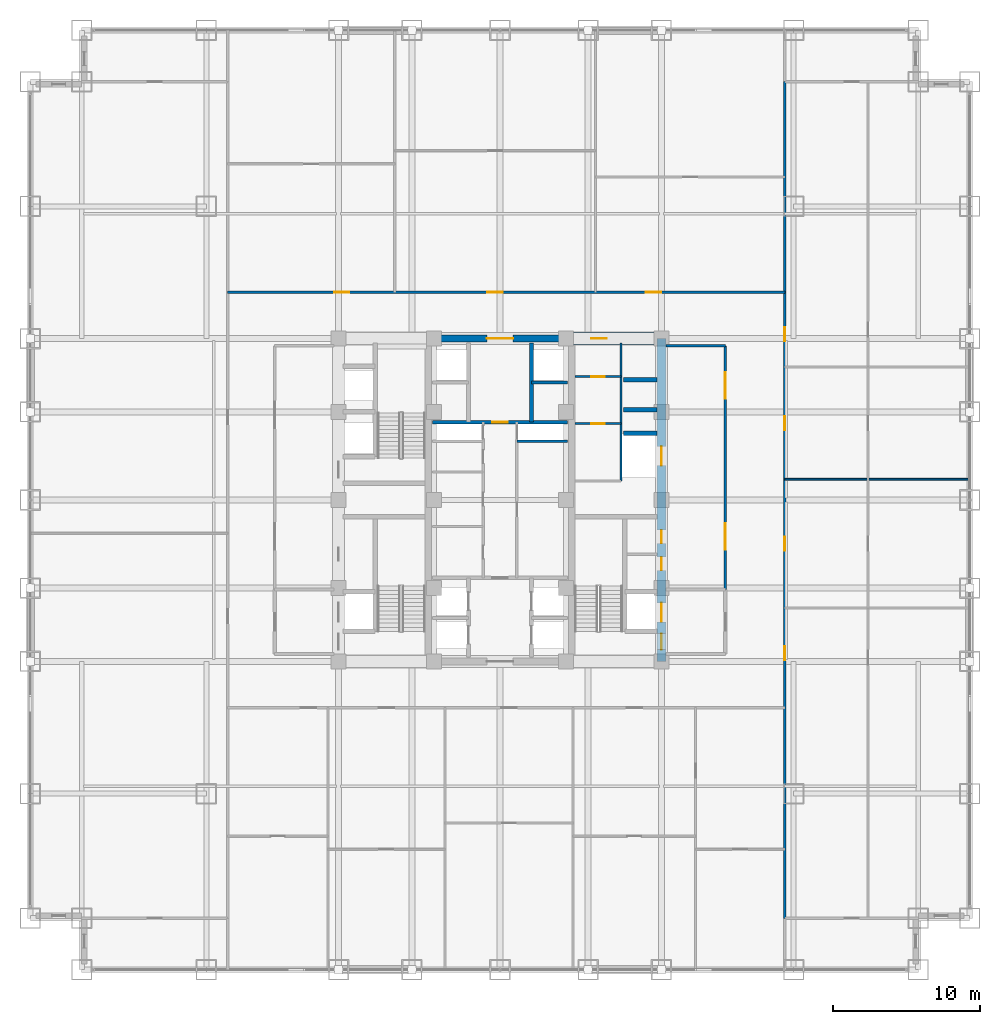
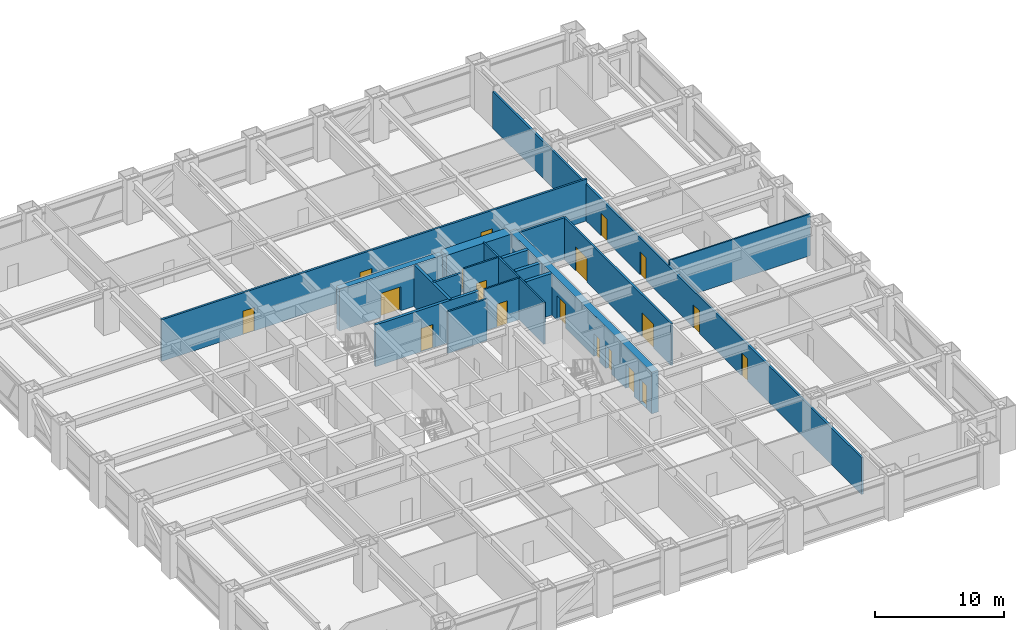
# One storey, part 26 of 28: 19 doors, 18 walls, 19 openings.
"""IFC4 building model written with IfcOpenShell, lengths in metres."""

from ifc_helpers import new_model, si_unit, direction, frame, frame_2d, origin, place, context, subcontext, project, spatial, rectangle, extrude, source, transform, mapped, material, layer, layer_set, type_object, element, fill, save


model = new_model("IFC4")

# Units and contexts
model_context = context("Model", 3, precision=1e-05, world=origin(), true_north=direction((0.0, 1.0)))
body_context = subcontext(model_context, "Body", "Model", "MODEL_VIEW")
ifc_project = project(units=[si_unit("LENGTHUNIT", "METRE"), si_unit("AREAUNIT", "SQUARE_METRE"), si_unit("VOLUMEUNIT", "CUBIC_METRE"), si_unit("PLANEANGLEUNIT", "RADIAN"), si_unit("MASSUNIT", "GRAM", prefix="KILO")], contexts=[model_context])

# Site, building, storey
site_placement = place(None, origin())
site = spatial("IfcSite", under=ifc_project, at=site_placement, CompositionType="ELEMENT")
building_placement = place(site_placement, origin())
building = spatial("IfcBuilding", under=site, at=building_placement, Name="Khorayat Bourse Tower", CompositionType="ELEMENT")
storey_placement = place(building_placement, frame((0.0, 0.0, 83.0)))
storey = spatial("IfcBuildingStorey", under=building, at=storey_placement, Name="L18", CompositionType="ELEMENT", Elevation=83.0)

# Wall, openings, doors
ifc_material_1 = material(Name="Concrete C60/75", Category="concrete")
ifc_layer_1 = layer(ifc_material_1, 0.60009765625)
ifc_layer_set_1 = layer_set([ifc_layer_1], Name="Concrete C60/75")
wall_type_1 = type_object("IfcWallType", Name="WAL-CORE-600", PredefinedType="SHEAR", material=ifc_layer_set_1)
shared_shape_1 = source(origin(), body_context, "Body", "SweptSolid", [
    extrude(rectangle(XDim=22.0, YDim=0.60009765625, at=frame_2d((11.0, 0.0))), origin(), (0.0, 0.0, 1.0), 3.93994140625),
])
wall_1_placement = place(storey_placement, frame((11.0, -11.0, 0.0), z_axis=(0.0, 0.0, 1.0), x_axis=(0.0, 1.0, 0.0)))
wall_1 = element("IfcWall", 1, at=wall_1_placement, inside=storey, type_object=wall_type_1, Name="L18 Core Shear Wall CORE-E", PredefinedType="SHEAR", context=body_context, shape_type="MappedRepresentation", body=[
    mapped(shared_shape_1, transform((0.0, 0.0, 0.0), scale=1.0)),
])
shared_shape_2 = source(origin(), body_context, "Body", "SweptSolid", [
    extrude(rectangle(XDim=1.10009765625, YDim=2.199951171875, at=frame_2d((0.550048828125, 1.10009765625))), frame((0.0, 0.31005859375, 0.0), z_axis=(0.0, -1.0, 0.0), x_axis=(1.0, 0.0, 0.0)), (0.0, 0.0, 1.0), 0.6201171875),
])
opening_1_placement = place(wall_1_placement, frame((0.800048828125, 0.0, 0.0)))
opening_1 = element("IfcOpeningElement", 2, at=opening_1_placement, cuts=wall_1, Name="Opening DI-01", PredefinedType="OPENING", context=body_context, shape_type="MappedRepresentation", body=[
    mapped(shared_shape_2, transform((0.0, 0.0, 0.0), scale=1.0)),
])
shared_shape_3 = source(origin(), body_context, "Body", "SweptSolid", [
    extrude(rectangle(XDim=0.89990234375, YDim=2.14990234375, at=frame_2d((0.449951171875, 1.074951171875))), frame((0.0, 0.31005859375, 0.0), z_axis=(0.0, -1.0, 0.0), x_axis=(1.0, 0.0, 0.0)), (0.0, 0.0, 1.0), 0.6201171875),
])
opening_2_placement = place(wall_1_placement, frame((6.199951171875, 0.0, 0.0)))
opening_2 = element("IfcOpeningElement", 3, at=opening_2_placement, cuts=wall_1, Name="Opening DI-06", PredefinedType="OPENING", context=body_context, shape_type="MappedRepresentation", body=[
    mapped(shared_shape_3, transform((0.0, 0.0, 0.0), scale=1.0)),
])
opening_3_placement = place(wall_1_placement, frame((8.050048828125, 0.0, 0.0)))
opening_3 = element("IfcOpeningElement", 4, at=opening_3_placement, cuts=wall_1, Name="Opening DI-06", PredefinedType="OPENING", context=body_context, shape_type="MappedRepresentation", body=[
    mapped(shared_shape_3, transform((0.0, 0.0, 0.0), scale=1.0)),
])
shared_shape_4 = source(origin(), body_context, "Body", "SweptSolid", [
    extrude(rectangle(XDim=1.300048828125, YDim=2.300048828125, at=frame_2d((0.64990234375, 1.14990234375))), frame((0.0, 0.31005859375, 0.0), z_axis=(0.0, -1.0, 0.0), x_axis=(1.0, 0.0, 0.0)), (0.0, 0.0, 1.0), 0.6201171875),
])
opening_4_placement = place(wall_1_placement, frame((2.699951171875, 0.0, 0.0)))
opening_4 = element("IfcOpeningElement", 5, at=opening_4_placement, cuts=wall_1, Name="Opening LD-02", PredefinedType="OPENING", context=body_context, shape_type="MappedRepresentation", body=[
    mapped(shared_shape_4, transform((0.0, 0.0, 0.0), scale=1.0)),
])
opening_5_placement = place(wall_1_placement, frame((13.35009765625, 0.0, 0.0)))
opening_5 = element("IfcOpeningElement", 6, at=opening_5_placement, cuts=wall_1, Name="Opening LD-02", PredefinedType="OPENING", context=body_context, shape_type="MappedRepresentation", body=[
    mapped(shared_shape_4, transform((0.0, 0.0, 0.0), scale=1.0)),
])
ifc_material_2 = material(Name="Fire-rated steel acoustic leaf", Category="steel")
door_type_1 = type_object("IfcDoorType", Name="DR-INT-STAIR-1100", OperationType="NOTDEFINED", PredefinedType="DOOR", material=ifc_material_2)
shared_shape_5 = source(origin(), body_context, "Body", "SweptSolid", [
    extrude(rectangle(XDim=1.10009765625, YDim=2.199951171875, at=frame_2d((0.550048828125, 1.10009765625))), frame((0.0, 0.02490234375, 0.0), z_axis=(0.0, -1.0, 0.0), x_axis=(1.0, 0.0, 0.0)), (0.0, 0.0, 1.0), 0.050048828125),
])
door_1_placement = place(opening_1_placement, origin())
door_1 = element("IfcDoor", 7, at=door_1_placement, inside=storey, type_object=door_type_1, Name="L18 Exit Stair 3 Door", OperationType="SINGLE_SWING_LEFT", OverallHeight=2.199951171875, OverallWidth=1.10009765625, PredefinedType="DOOR", context=body_context, shape_type="MappedRepresentation", body=[
    mapped(shared_shape_5, transform((0.0, 0.0, 0.0), scale=1.0)),
])
fill(opening_1, door_1)
ifc_material_3 = material(Name="Moisture-resistant laminate washroom door")
door_type_2 = type_object("IfcDoorType", Name="DR-INT-WC-900", OperationType="NOTDEFINED", PredefinedType="DOOR", material=ifc_material_3)
shared_shape_6 = source(origin(), body_context, "Body", "SweptSolid", [
    extrude(rectangle(XDim=0.89990234375, YDim=2.14990234375, at=frame_2d((0.449951171875, 1.074951171875))), frame((0.0, 0.02490234375, 0.0), z_axis=(0.0, -1.0, 0.0), x_axis=(1.0, 0.0, 0.0)), (0.0, 0.0, 1.0), 0.050048828125),
])
door_2_placement = place(opening_2_placement, origin())
door_2 = element("IfcDoor", 8, at=door_2_placement, inside=storey, type_object=door_type_2, Name="L18 Comms Closet Door", OperationType="SINGLE_SWING_LEFT", OverallHeight=2.14990234375, OverallWidth=0.89990234375, PredefinedType="DOOR", context=body_context, shape_type="MappedRepresentation", body=[
    mapped(shared_shape_6, transform((0.0, 0.0, 0.0), scale=1.0)),
])
fill(opening_2, door_2)
door_3_placement = place(opening_3_placement, origin())
door_3 = element("IfcDoor", 9, at=door_3_placement, inside=storey, type_object=door_type_2, Name="L18 Cleaner Store Door", OperationType="SINGLE_SWING_RIGHT", OverallHeight=2.14990234375, OverallWidth=0.89990234375, PredefinedType="DOOR", context=body_context, shape_type="MappedRepresentation", body=[
    mapped(shared_shape_6, transform((0.0, 0.0, 0.0), scale=1.0)),
])
fill(opening_3, door_3)
ifc_material_4 = material(Name="Fire-rated stainless-steel sliding landing door", Category="steel")
door_type_3 = type_object("IfcDoorType", Name="DR-LIFT-FF-1300", OperationType="NOTDEFINED", PredefinedType="DOOR", material=ifc_material_4)
shared_shape_7 = source(origin(), body_context, "Body", "SweptSolid", [
    extrude(rectangle(XDim=1.300048828125, YDim=2.300048828125, at=frame_2d((0.64990234375, 1.14990234375))), frame((0.0, 0.02490234375, 0.0), z_axis=(0.0, -1.0, 0.0), x_axis=(1.0, 0.0, 0.0)), (0.0, 0.0, 1.0), 0.050048828125),
])
door_4_placement = place(opening_4_placement, origin())
door_4 = element("IfcDoor", 10, at=door_4_placement, inside=storey, type_object=door_type_3, Name="L18 Lift FFL-02 Sliding Landing Door", OperationType="SLIDING_TO_LEFT", OverallHeight=2.300048828125, OverallWidth=1.300048828125, PredefinedType="DOOR", context=body_context, shape_type="MappedRepresentation", body=[
    mapped(shared_shape_7, transform((0.0, 0.0, 0.0), scale=1.0)),
])
fill(opening_4, door_4)
door_5_placement = place(opening_5_placement, origin())
door_5 = element("IfcDoor", 11, at=door_5_placement, inside=storey, type_object=door_type_3, Name="L18 Lift SVL-01 Sliding Landing Door", OperationType="SLIDING_TO_LEFT", OverallHeight=2.300048828125, OverallWidth=1.300048828125, PredefinedType="DOOR", context=body_context, shape_type="MappedRepresentation", body=[
    mapped(shared_shape_7, transform((0.0, 0.0, 0.0), scale=1.0)),
])
fill(opening_5, door_5)

# Wall, opening, door
ifc_material_5 = material(Name="Concrete C72/90", Category="concrete")
ifc_layer_2 = layer(ifc_material_5, 0.89990234375)
ifc_layer_set_2 = layer_set([ifc_layer_2], Name="Concrete C72/90")
wall_type_2 = type_object("IfcWallType", Name="WAL-CORE-900", PredefinedType="SHEAR", material=ifc_layer_set_2)
shared_shape_8 = source(origin(), body_context, "Body", "SweptSolid", [
    extrude(rectangle(XDim=5.849853515625, YDim=0.89990234375, at=frame_2d((2.9248046875, 0.0))), origin(), (0.0, 0.0, 1.0), 3.93994140625),
])
wall_2_placement = place(storey_placement, frame((4.85009765625, 11.0, 0.0), z_axis=(0.0, 0.0, 1.0), x_axis=(1.0, 0.0, 0.0)))
wall_2 = element("IfcWall", 12, at=wall_2_placement, inside=storey, type_object=wall_type_2, Name="L18 Core Shear Wall PIER-EN", PredefinedType="SHEAR", context=body_context, shape_type="MappedRepresentation", body=[
    mapped(shared_shape_8, transform((0.0, 0.0, 0.0), scale=1.0)),
])
shared_shape_9 = source(origin(), body_context, "Body", "SweptSolid", [
    extrude(rectangle(XDim=1.050048828125, YDim=2.199951171875, at=frame_2d((0.52490234375, 1.10009765625))), frame((0.0, 0.4599609375, 0.0), z_axis=(0.0, -1.0, 0.0), x_axis=(1.0, 0.0, 0.0)), (0.0, 0.0, 1.0), 0.919921875),
])
opening_6_placement = place(wall_2_placement, frame((1.375, 0.0, 0.0)))
opening_6 = element("IfcOpeningElement", 13, at=opening_6_placement, cuts=wall_2, Name="Opening DI-04", PredefinedType="OPENING", context=body_context, shape_type="MappedRepresentation", body=[
    mapped(shared_shape_9, transform((0.0, 0.0, 0.0), scale=1.0)),
])
ifc_material_6 = material(Name="Fire-rated oak veneer suite entrance door")
door_type_4 = type_object("IfcDoorType", Name="DR-INT-SUITE-1050", OperationType="NOTDEFINED", PredefinedType="DOOR", material=ifc_material_6)
shared_shape_10 = source(origin(), body_context, "Body", "SweptSolid", [
    extrude(rectangle(XDim=1.050048828125, YDim=2.199951171875, at=frame_2d((0.52490234375, 1.10009765625))), frame((0.0, 0.02490234375, 0.0), z_axis=(0.0, -1.0, 0.0), x_axis=(1.0, 0.0, 0.0)), (0.0, 0.0, 1.0), 0.050048828125),
])
door_6_placement = place(opening_6_placement, origin())
door_6 = element("IfcDoor", 14, at=door_6_placement, inside=storey, type_object=door_type_4, Name="L18 Core Washroom Lobby Door", OperationType="SINGLE_SWING_LEFT", OverallHeight=2.199951171875, OverallWidth=1.050048828125, PredefinedType="DOOR", context=body_context, shape_type="MappedRepresentation", body=[
    mapped(shared_shape_10, transform((0.0, 0.0, 0.0), scale=1.0)),
])
fill(opening_6, door_6)

ifc_material_7 = material(Name="Concrete C52/65", Category="concrete")
ifc_layer_3 = layer(ifc_material_7, 0.5)
ifc_layer_set_3 = layer_set([ifc_layer_3], Name="Concrete C52/65")
wall_type_3 = type_object("IfcWallType", Name="WAL-CORE-500", PredefinedType="SHEAR", material=ifc_layer_set_3)
shared_shape_11 = source(origin(), body_context, "Body", "SweptSolid", [
    extrude(rectangle(XDim=9.2001953125, YDim=0.5, at=frame_2d((4.60009765625, 0.0))), origin(), (0.0, 0.0, 1.0), 3.93994140625),
])
wall_3_placement = place(storey_placement, frame((-4.60009765625, 11.0, 0.0), z_axis=(0.0, 0.0, 1.0), x_axis=(1.0, 0.0, 0.0)))
wall_3 = element("IfcWall", 15, at=wall_3_placement, inside=storey, type_object=wall_type_3, Name="L18 Core Shear Wall CORE-N", PredefinedType="SHEAR", context=body_context, shape_type="MappedRepresentation", body=[
    mapped(shared_shape_11, transform((0.0, 0.0, 0.0), scale=1.0)),
])
shared_shape_12 = source(origin(), body_context, "Body", "SweptSolid", [
    extrude(rectangle(XDim=1.800048828125, YDim=2.25, at=frame_2d((0.89990234375, 1.125))), frame((0.0, 0.260009765625, 0.0), z_axis=(0.0, -1.0, 0.0), x_axis=(1.0, 0.0, 0.0)), (0.0, 0.0, 1.0), 0.52001953125),
])
opening_7_placement = place(wall_3_placement, frame((3.699951171875, 0.0, 0.0)))
opening_7 = element("IfcOpeningElement", 16, at=opening_7_placement, cuts=wall_3, Name="Opening DI-03", PredefinedType="OPENING", context=body_context, shape_type="MappedRepresentation", body=[
    mapped(shared_shape_12, transform((0.0, 0.0, 0.0), scale=1.0)),
])
ifc_material_8 = material(Name="Fire-rated hardwood vision-panel double leaf", Category="wood")
door_type_5 = type_object("IfcDoorType", Name="DR-INT-CORR-1800", OperationType="NOTDEFINED", PredefinedType="DOOR", material=ifc_material_8)
shared_shape_13 = source(origin(), body_context, "Body", "SweptSolid", [
    extrude(rectangle(XDim=1.800048828125, YDim=2.25, at=frame_2d((0.89990234375, 1.125))), frame((0.0, 0.02490234375, 0.0), z_axis=(0.0, -1.0, 0.0), x_axis=(1.0, 0.0, 0.0)), (0.0, 0.0, 1.0), 0.050048828125),
])
door_7_placement = place(opening_7_placement, origin())
door_7 = element("IfcDoor", 17, at=door_7_placement, inside=storey, type_object=door_type_5, Name="L18 Mid-Rise Lift Lobby Door", OperationType="SINGLE_SWING_RIGHT", OverallHeight=2.25, OverallWidth=1.800048828125, PredefinedType="DOOR", context=body_context, shape_type="MappedRepresentation", body=[
    mapped(shared_shape_13, transform((0.0, 0.0, 0.0), scale=1.0)),
])
fill(opening_7, door_7)

# Walls
ifc_material_9 = material(Name="Concrete C50/60", Category="concrete")
ifc_layer_4 = layer(ifc_material_9, 0.300048828125)
ifc_layer_set_4 = layer_set([ifc_layer_4], Name="Concrete C50/60")
wall_type_4 = type_object("IfcWallType", Name="WAL-SHAFT-300", PredefinedType="SHEAR", material=ifc_layer_set_4)
shared_shape_14 = source(origin(), body_context, "Body", "SweptSolid", [
    extrude(rectangle(XDim=2.300048828125, YDim=0.300048828125, at=frame_2d((1.14990234375, 0.0))), origin(), (0.0, 0.0, 1.0), 3.93994140625),
])
for number, where, z_axis, x_axis, name in (
    (18, (8.39990234375, 4.550048828125, 0.0), (0.0, 0.0, 1.0), (1.0, 0.0, 0.0), "L18 Partition WAL-L18-EPIER-SVLN"),
    (19, (8.39990234375, 6.14990234375, 0.0), (0.0, 0.0, 1.0), (1.0, 0.0, 0.0), "L18 Partition WAL-L18-EPIER-H3S"),
    (20, (8.39990234375, 8.199951171875, 0.0), (0.0, 0.0, 1.0), (1.0, 0.0, 0.0), "L18 Partition WAL-L18-EPIER-H34"),
):
    element("IfcWall", number, at=place(storey_placement, frame(where, z_axis=z_axis, x_axis=x_axis)), inside=storey, type_object=wall_type_4, Name=name, PredefinedType="SHEAR", context=body_context, shape_type="MappedRepresentation", body=[
        mapped(shared_shape_14, transform((0.0, 0.0, 0.0), scale=1.0)),
    ])
ifc_material_10 = material(Name="Moisture-resistant masonry partition", Category="masonry")
ifc_layer_5 = layer(ifc_material_10, 0.139892578125)
ifc_layer_set_5 = layer_set([ifc_layer_5], Name="Moisture-resistant masonry partition")
wall_type_5 = type_object("IfcWallType", Name="WAL-PART-WET-140", PredefinedType="PARTITIONING", material=ifc_layer_set_5)
shared_shape_15 = source(origin(), body_context, "Body", "SweptSolid", [
    extrude(rectangle(XDim=9.39990234375, YDim=0.139892578125, at=frame_2d((4.699951171875, 0.0))), origin(), (0.0, 0.0, 1.0), 3.93994140625),
])
wall_4_placement = place(storey_placement, frame((8.25, 1.300048828125, 0.0), z_axis=(0.0, 0.0, 1.0), x_axis=(0.0, 1.0, 0.0)))
element("IfcWall", 21, at=wall_4_placement, inside=storey, type_object=wall_type_5, Name="L18 Partition WAL-L18-ECORE-E", PredefinedType="PARTITIONING", context=body_context, shape_type="MappedRepresentation", body=[
    mapped(shared_shape_15, transform((0.0, 0.0, 0.0), scale=1.0)),
])

# Wall, opening, door
shared_shape_16 = source(origin(), body_context, "Body", "SweptSolid", [
    extrude(rectangle(XDim=3.14990234375, YDim=0.139892578125, at=frame_2d((1.574951171875, 0.0))), origin(), (0.0, 0.0, 1.0), 3.93994140625),
])
wall_5_placement = place(storey_placement, frame((5.10009765625, 8.39990234375, 0.0), z_axis=(0.0, 0.0, 1.0), x_axis=(1.0, 0.0, 0.0)))
wall_5 = element("IfcWall", 22, at=wall_5_placement, inside=storey, type_object=wall_type_5, Name="L18 Partition WAL-L18-ECW-TOP", PredefinedType="PARTITIONING", context=body_context, shape_type="MappedRepresentation", body=[
    mapped(shared_shape_16, transform((0.0, 0.0, 0.0), scale=1.0)),
])
shared_shape_17 = source(origin(), body_context, "Body", "SweptSolid", [
    extrude(rectangle(XDim=0.89990234375, YDim=2.14990234375, at=frame_2d((0.449951171875, 1.074951171875))), frame((0.0, 0.079833984375, 0.0), z_axis=(0.0, -1.0, 0.0), x_axis=(1.0, 0.0, 0.0)), (0.0, 0.0, 1.0), 0.159912109375),
])
opening_8_placement = place(wall_5_placement, frame((1.1298828125, 0.0, 0.0)))
opening_8 = element("IfcOpeningElement", 23, at=opening_8_placement, cuts=wall_5, Name="Opening DI-06", PredefinedType="OPENING", context=body_context, shape_type="MappedRepresentation", body=[
    mapped(shared_shape_17, transform((0.0, 0.0, 0.0), scale=1.0)),
])
door_8_placement = place(opening_8_placement, origin())
door_8 = element("IfcDoor", 24, at=door_8_placement, inside=storey, type_object=door_type_2, Name="L18 Accessible WC Door", OperationType="SINGLE_SWING_LEFT", OverallHeight=2.14990234375, OverallWidth=0.89990234375, PredefinedType="DOOR", context=body_context, shape_type="MappedRepresentation", body=[
    mapped(shared_shape_6, transform((0.0, 0.0, 0.0), scale=1.0)),
])
fill(opening_8, door_8)

wall_6_placement = place(storey_placement, frame((5.10009765625, 5.199951171875, 0.0), z_axis=(0.0, 0.0, 1.0), x_axis=(1.0, 0.0, 0.0)))
wall_6 = element("IfcWall", 25, at=wall_6_placement, inside=storey, type_object=wall_type_5, Name="L18 Partition WAL-L18-ECW-HZ", PredefinedType="PARTITIONING", context=body_context, shape_type="MappedRepresentation", body=[
    mapped(shared_shape_16, transform((0.0, 0.0, 0.0), scale=1.0)),
])
opening_9_placement = place(wall_6_placement, frame((1.1298828125, 0.0, 0.0)))
opening_9 = element("IfcOpeningElement", 26, at=opening_9_placement, cuts=wall_6, Name="Opening DI-06", PredefinedType="OPENING", context=body_context, shape_type="MappedRepresentation", body=[
    mapped(shared_shape_17, transform((0.0, 0.0, 0.0), scale=1.0)),
])
door_9_placement = place(opening_9_placement, origin())
door_9 = element("IfcDoor", 27, at=door_9_placement, inside=storey, type_object=door_type_2, Name="L18 Shared Washroom Door", OperationType="SINGLE_SWING_RIGHT", OverallHeight=2.14990234375, OverallWidth=0.89990234375, PredefinedType="DOOR", context=body_context, shape_type="MappedRepresentation", body=[
    mapped(shared_shape_6, transform((0.0, 0.0, 0.0), scale=1.0)),
])
fill(opening_9, door_9)

# Wall
ifc_material_11 = material(Name="Gypsum plasterboard acoustic stud wall")
ifc_layer_6 = layer(ifc_material_11, 0.179931640625)
ifc_layer_set_6 = layer_set([ifc_layer_6], Name="Gypsum plasterboard acoustic stud wall")
wall_type_6 = type_object("IfcWallType", Name="WAL-PART-CORR-180", PredefinedType="PARTITIONING", material=ifc_layer_set_6)
shared_shape_18 = source(origin(), body_context, "Body", "SweptSolid", [
    extrude(rectangle(XDim=4.050048828125, YDim=0.179931640625, at=frame_2d((2.02490234375, 0.0))), origin(), (0.0, 0.0, 1.0), 3.93994140625),
])
wall_7_placement = place(storey_placement, frame((11.300048828125, 10.5, 0.0), z_axis=(0.0, 0.0, 1.0), x_axis=(1.0, 0.0, 0.0)))
element("IfcWall", 28, at=wall_7_placement, inside=storey, type_object=wall_type_6, Name="L18 Partition WAL-L18-ELOB-N", PredefinedType="PARTITIONING", context=body_context, shape_type="MappedRepresentation", body=[
    mapped(shared_shape_18, transform((0.0, 0.0, 0.0), scale=1.0)),
])

# Wall, openings, doors
shared_shape_19 = source(origin(), body_context, "Body", "SweptSolid", [
    extrude(rectangle(XDim=16.60009765625, YDim=0.179931640625, at=frame_2d((8.300048828125, 0.0))), origin(), (0.0, 0.0, 1.0), 3.93994140625),
])
wall_8_placement = place(storey_placement, frame((15.35009765625, -6.10009765625, 0.0), z_axis=(0.0, 0.0, 1.0), x_axis=(0.0, 1.0, 0.0)))
wall_8 = element("IfcWall", 29, at=wall_8_placement, inside=storey, type_object=wall_type_6, Name="L18 Partition WAL-L18-ELOB-E", PredefinedType="PARTITIONING", context=body_context, shape_type="MappedRepresentation", body=[
    mapped(shared_shape_19, transform((0.0, 0.0, 0.0), scale=1.0)),
])
shared_shape_20 = source(origin(), body_context, "Body", "SweptSolid", [
    extrude(rectangle(XDim=1.800048828125, YDim=2.25, at=frame_2d((0.89990234375, 1.125))), frame((0.0, 0.099853515625, 0.0), z_axis=(0.0, -1.0, 0.0), x_axis=(1.0, 0.0, 0.0)), (0.0, 0.0, 1.0), 0.199951171875),
])
opening_10_placement = place(wall_8_placement, frame((2.699951171875, 0.0, 0.0)))
opening_10 = element("IfcOpeningElement", 30, at=opening_10_placement, cuts=wall_8, Name="Opening DI-03", PredefinedType="OPENING", context=body_context, shape_type="MappedRepresentation", body=[
    mapped(shared_shape_20, transform((0.0, 0.0, 0.0), scale=1.0)),
])
opening_11_placement = place(wall_8_placement, frame((13.0, 0.0, 0.0)))
opening_11 = element("IfcOpeningElement", 31, at=opening_11_placement, cuts=wall_8, Name="Opening DI-03", PredefinedType="OPENING", context=body_context, shape_type="MappedRepresentation", body=[
    mapped(shared_shape_20, transform((0.0, 0.0, 0.0), scale=1.0)),
])
door_10_placement = place(opening_10_placement, origin())
door_10 = element("IfcDoor", 32, at=door_10_placement, inside=storey, type_object=door_type_5, Name="L18 East Core Lobby South Door", OperationType="SINGLE_SWING_RIGHT", OverallHeight=2.25, OverallWidth=1.800048828125, PredefinedType="DOOR", context=body_context, shape_type="MappedRepresentation", body=[
    mapped(shared_shape_13, transform((0.0, 0.0, 0.0), scale=1.0)),
])
fill(opening_10, door_10)
door_11_placement = place(opening_11_placement, origin())
door_11 = element("IfcDoor", 33, at=door_11_placement, inside=storey, type_object=door_type_5, Name="L18 East Core Lobby North Door", OperationType="SINGLE_SWING_LEFT", OverallHeight=2.25, OverallWidth=1.800048828125, PredefinedType="DOOR", context=body_context, shape_type="MappedRepresentation", body=[
    mapped(shared_shape_13, transform((0.0, 0.0, 0.0), scale=1.0)),
])
fill(opening_11, door_11)

# Walls
ifc_material_12 = material(Name="Gypsum plasterboard twin-frame partition")
ifc_layer_7 = layer(ifc_material_12, 0.14990234375)
ifc_layer_set_7 = layer_set([ifc_layer_7], Name="Gypsum plasterboard twin-frame partition")
wall_type_7 = type_object("IfcWallType", Name="WAL-PART-SUITE-150", PredefinedType="PARTITIONING", material=ifc_layer_set_7)
shared_shape_21 = source(origin(), body_context, "Body", "SweptSolid", [
    extrude(rectangle(XDim=3.4501953125, YDim=0.14990234375, at=frame_2d((1.72509765625, 0.0))), origin(), (0.0, 0.0, 1.0), 3.93994140625),
])
wall_9_placement = place(storey_placement, frame((1.14990234375, 4.0, 0.0), z_axis=(0.0, 0.0, 1.0), x_axis=(1.0, 0.0, 0.0)))
element("IfcWall", 34, at=wall_9_placement, inside=storey, type_object=wall_type_7, Name="L18 Partition WAL-L18-CRSE-S", PredefinedType="PARTITIONING", context=body_context, shape_type="MappedRepresentation", body=[
    mapped(shared_shape_21, transform((0.0, 0.0, 0.0), scale=1.0)),
])
shared_shape_22 = source(origin(), body_context, "Body", "SweptSolid", [
    extrude(rectangle(XDim=5.39990234375, YDim=0.25, at=frame_2d((2.699951171875, 0.0))), origin(), (0.0, 0.0, 1.0), 3.93994140625),
])
wall_10_placement = place(storey_placement, frame((2.14990234375, 5.300048828125, 0.0), z_axis=(0.0, 0.0, 1.0), x_axis=(0.0, 1.0, 0.0)))
element("IfcWall", 35, at=wall_10_placement, inside=storey, type_object=wall_type_4, Name="L18 Partition WAL-L18-B2-E", PredefinedType="SHEAR", context=body_context, shape_type="MappedRepresentation", body=[
    mapped(shared_shape_22, transform((0.0, 0.0, 0.0), scale=1.0)),
])
shared_shape_23 = source(origin(), body_context, "Body", "SweptSolid", [
    extrude(rectangle(XDim=2.4501953125, YDim=0.199951171875, at=frame_2d((1.22509765625, 0.0))), origin(), (0.0, 0.0, 1.0), 3.93994140625),
])
wall_11_placement = place(storey_placement, frame((2.14990234375, 8.0, 0.0), z_axis=(0.0, 0.0, 1.0), x_axis=(1.0, 0.0, 0.0)))
element("IfcWall", 36, at=wall_11_placement, inside=storey, type_object=wall_type_4, Name="L18 Partition WAL-L18-B2-ME", PredefinedType="SHEAR", context=body_context, shape_type="MappedRepresentation", body=[
    mapped(shared_shape_23, transform((0.0, 0.0, 0.0), scale=1.0)),
])

# Wall, opening, door
shared_shape_24 = source(origin(), body_context, "Body", "SweptSolid", [
    extrude(rectangle(XDim=9.2001953125, YDim=0.25, at=frame_2d((4.60009765625, 0.0))), origin(), (0.0, 0.0, 1.0), 3.93994140625),
])
wall_12_placement = place(storey_placement, frame((-4.60009765625, 5.300048828125, 0.0), z_axis=(0.0, 0.0, 1.0), x_axis=(1.0, 0.0, 0.0)))
wall_12 = element("IfcWall", 37, at=wall_12_placement, inside=storey, type_object=wall_type_4, Name="L18 Partition WAL-L18-B2-S", PredefinedType="SHEAR", context=body_context, shape_type="MappedRepresentation", body=[
    mapped(shared_shape_24, transform((0.0, 0.0, 0.0), scale=1.0)),
])
shared_shape_25 = source(origin(), body_context, "Body", "SweptSolid", [
    extrude(rectangle(XDim=1.050048828125, YDim=2.199951171875, at=frame_2d((0.52490234375, 1.10009765625))), frame((0.0, 0.135009765625, 0.0), z_axis=(0.0, -1.0, 0.0), x_axis=(1.0, 0.0, 0.0)), (0.0, 0.0, 1.0), 0.27001953125),
])
opening_12_placement = place(wall_12_placement, frame((4.074951171875, 0.0, 0.0)))
opening_12 = element("IfcOpeningElement", 38, at=opening_12_placement, cuts=wall_12, Name="Opening DI-04", PredefinedType="OPENING", context=body_context, shape_type="MappedRepresentation", body=[
    mapped(shared_shape_25, transform((0.0, 0.0, 0.0), scale=1.0)),
])
door_12_placement = place(opening_12_placement, origin())
door_12 = element("IfcDoor", 39, at=door_12_placement, inside=storey, type_object=door_type_4, Name="L18 Core Spine North Door", OperationType="SINGLE_SWING_RIGHT", OverallHeight=2.199951171875, OverallWidth=1.050048828125, PredefinedType="DOOR", context=body_context, shape_type="MappedRepresentation", body=[
    mapped(shared_shape_10, transform((0.0, 0.0, 0.0), scale=1.0)),
])
fill(opening_12, door_12)

# Wall, openings, doors
shared_shape_26 = source(origin(), body_context, "Body", "SweptSolid", [
    extrude(rectangle(XDim=37.949951171875, YDim=0.179931640625, at=frame_2d((18.97509765625, 0.0))), origin(), (0.0, 0.0, 1.0), 3.93994140625),
])
wall_13_placement = place(storey_placement, frame((-18.550048828125, 14.14990234375, 0.0), z_axis=(0.0, 0.0, 1.0), x_axis=(1.0, 0.0, 0.0)))
wall_13 = element("IfcWall", 40, at=wall_13_placement, inside=storey, type_object=wall_type_6, Name="L18 Partition WAL-L18-NCORR", PredefinedType="PARTITIONING", context=body_context, shape_type="MappedRepresentation", body=[
    mapped(shared_shape_26, transform((0.0, 0.0, 0.0), scale=1.0)),
])
shared_shape_27 = source(origin(), body_context, "Body", "SweptSolid", [
    extrude(rectangle(XDim=1.050048828125, YDim=2.199951171875, at=frame_2d((0.52490234375, 1.10009765625))), frame((0.0, 0.099853515625, 0.0), z_axis=(0.0, -1.0, 0.0), x_axis=(1.0, 0.0, 0.0)), (0.0, 0.0, 1.0), 0.199951171875),
])
opening_13_placement = place(wall_13_placement, frame((7.242431640625, 0.0, 0.0)))
opening_13 = element("IfcOpeningElement", 41, at=opening_13_placement, cuts=wall_13, Name="Opening DI-04", PredefinedType="OPENING", context=body_context, shape_type="MappedRepresentation", body=[
    mapped(shared_shape_27, transform((0.0, 0.0, 0.0), scale=1.0)),
])
opening_14_placement = place(wall_13_placement, frame((17.69091796875, 0.0, 0.0)))
opening_14 = element("IfcOpeningElement", 42, at=opening_14_placement, cuts=wall_13, Name="Opening DI-04", PredefinedType="OPENING", context=body_context, shape_type="MappedRepresentation", body=[
    mapped(shared_shape_27, transform((0.0, 0.0, 0.0), scale=1.0)),
])
opening_15_placement = place(wall_13_placement, frame((28.473388671875, 0.0, 0.0)))
opening_15 = element("IfcOpeningElement", 43, at=opening_15_placement, cuts=wall_13, Name="Opening DI-04", PredefinedType="OPENING", context=body_context, shape_type="MappedRepresentation", body=[
    mapped(shared_shape_27, transform((0.0, 0.0, 0.0), scale=1.0)),
])
door_13_placement = place(opening_13_placement, origin())
door_13 = element("IfcDoor", 44, at=door_13_placement, inside=storey, type_object=door_type_4, Name="L18 Quantitative Research Study N1 Door", OperationType="SINGLE_SWING_RIGHT", OverallHeight=2.199951171875, OverallWidth=1.050048828125, PredefinedType="DOOR", context=body_context, shape_type="MappedRepresentation", body=[
    mapped(shared_shape_10, transform((0.0, 0.0, 0.0), scale=1.0)),
])
fill(opening_13, door_13)
door_14_placement = place(opening_14_placement, origin())
door_14 = element("IfcDoor", 45, at=door_14_placement, inside=storey, type_object=door_type_4, Name="L18 Executive Boardroom N2 Door", OperationType="SINGLE_SWING_LEFT", OverallHeight=2.199951171875, OverallWidth=1.050048828125, PredefinedType="DOOR", context=body_context, shape_type="MappedRepresentation", body=[
    mapped(shared_shape_10, transform((0.0, 0.0, 0.0), scale=1.0)),
])
fill(opening_14, door_14)
door_15_placement = place(opening_15_placement, origin())
door_15 = element("IfcDoor", 46, at=door_15_placement, inside=storey, type_object=door_type_4, Name="L18 Members Dining Room N3 Door", OperationType="SINGLE_SWING_RIGHT", OverallHeight=2.199951171875, OverallWidth=1.050048828125, PredefinedType="DOOR", context=body_context, shape_type="MappedRepresentation", body=[
    mapped(shared_shape_10, transform((0.0, 0.0, 0.0), scale=1.0)),
])
fill(opening_15, door_15)

shared_shape_28 = source(origin(), body_context, "Body", "SweptSolid", [
    extrude(rectangle(XDim=57.0, YDim=0.179931640625, at=frame_2d((28.5, 0.0))), origin(), (0.0, 0.0, 1.0), 3.470947265625),
])
wall_14_placement = place(storey_placement, frame((19.39990234375, -28.5, 0.0), z_axis=(0.0, 0.0, 1.0), x_axis=(0.0, 1.0, 0.0)))
wall_14 = element("IfcWall", 47, at=wall_14_placement, inside=storey, type_object=wall_type_6, Name="L18 Partition WAL-L18-ECORR", PredefinedType="PARTITIONING", context=body_context, shape_type="MappedRepresentation", body=[
    mapped(shared_shape_28, transform((0.0, 0.0, 0.0), scale=1.0)),
])
shared_shape_29 = source(origin(), body_context, "Body", "SweptSolid", [
    extrude(rectangle(XDim=0.949951171875, YDim=2.14990234375, at=frame_2d((0.47509765625, 1.074951171875))), frame((0.0, 0.099853515625, 0.0), z_axis=(0.0, -1.0, 0.0), x_axis=(1.0, 0.0, 0.0)), (0.0, 0.0, 1.0), 0.199951171875),
])
opening_16_placement = place(wall_14_placement, frame((17.571044921875, 0.0, 0.0)))
opening_16 = element("IfcOpeningElement", 48, at=opening_16_placement, cuts=wall_14, Name="Opening DI-05", PredefinedType="OPENING", context=body_context, shape_type="MappedRepresentation", body=[
    mapped(shared_shape_29, transform((0.0, 0.0, 0.0), scale=1.0)),
])
opening_17_placement = place(wall_14_placement, frame((25.053466796875, 0.0, 0.0)))
opening_17 = element("IfcOpeningElement", 49, at=opening_17_placement, cuts=wall_14, Name="Opening DI-05", PredefinedType="OPENING", context=body_context, shape_type="MappedRepresentation", body=[
    mapped(shared_shape_29, transform((0.0, 0.0, 0.0), scale=1.0)),
])
opening_18_placement = place(wall_14_placement, frame((33.260498046875, 0.0, 0.0)))
opening_18 = element("IfcOpeningElement", 50, at=opening_18_placement, cuts=wall_14, Name="Opening DI-05", PredefinedType="OPENING", context=body_context, shape_type="MappedRepresentation", body=[
    mapped(shared_shape_29, transform((0.0, 0.0, 0.0), scale=1.0)),
])
opening_19_placement = place(wall_14_placement, frame((39.327880859375, 0.0, 0.0)))
opening_19 = element("IfcOpeningElement", 51, at=opening_19_placement, cuts=wall_14, Name="Opening DI-05", PredefinedType="OPENING", context=body_context, shape_type="MappedRepresentation", body=[
    mapped(shared_shape_29, transform((0.0, 0.0, 0.0), scale=1.0)),
])
ifc_material_13 = material(Name="Acoustic oak veneer office door")
door_type_6 = type_object("IfcDoorType", Name="DR-INT-OFFICE-950", OperationType="NOTDEFINED", PredefinedType="DOOR", material=ifc_material_13)
shared_shape_30 = source(origin(), body_context, "Body", "SweptSolid", [
    extrude(rectangle(XDim=0.949951171875, YDim=2.14990234375, at=frame_2d((0.47509765625, 1.074951171875))), frame((0.0, 0.02490234375, 0.0), z_axis=(0.0, -1.0, 0.0), x_axis=(1.0, 0.0, 0.0)), (0.0, 0.0, 1.0), 0.050048828125),
])
door_16_placement = place(opening_16_placement, origin())
door_16 = element("IfcDoor", 52, at=door_16_placement, inside=storey, type_object=door_type_6, Name="L18 Brokerage Member Kiosk E1 Door", OperationType="SINGLE_SWING_RIGHT", OverallHeight=2.14990234375, OverallWidth=0.949951171875, PredefinedType="DOOR", context=body_context, shape_type="MappedRepresentation", body=[
    mapped(shared_shape_30, transform((0.0, 0.0, 0.0), scale=1.0)),
])
fill(opening_16, door_16)
door_17_placement = place(opening_17_placement, origin())
door_17 = element("IfcDoor", 53, at=door_17_placement, inside=storey, type_object=door_type_6, Name="L18 Staff Tea Pantry E2 Door", OperationType="SINGLE_SWING_LEFT", OverallHeight=2.14990234375, OverallWidth=0.949951171875, PredefinedType="DOOR", context=body_context, shape_type="MappedRepresentation", body=[
    mapped(shared_shape_30, transform((0.0, 0.0, 0.0), scale=1.0)),
])
fill(opening_17, door_17)
door_18_placement = place(opening_18_placement, origin())
door_18 = element("IfcDoor", 54, at=door_18_placement, inside=storey, type_object=door_type_6, Name="L18 Market Committee Conference Room E3 Door", OperationType="SINGLE_SWING_RIGHT", OverallHeight=2.14990234375, OverallWidth=0.949951171875, PredefinedType="DOOR", context=body_context, shape_type="MappedRepresentation", body=[
    mapped(shared_shape_30, transform((0.0, 0.0, 0.0), scale=1.0)),
])
fill(opening_18, door_18)
door_19_placement = place(opening_19_placement, origin())
door_19 = element("IfcDoor", 55, at=door_19_placement, inside=storey, type_object=door_type_6, Name="L18 Clearing Records Archive Store E4 Door", OperationType="SINGLE_SWING_LEFT", OverallHeight=2.14990234375, OverallWidth=0.949951171875, PredefinedType="DOOR", context=body_context, shape_type="MappedRepresentation", body=[
    mapped(shared_shape_30, transform((0.0, 0.0, 0.0), scale=1.0)),
])
fill(opening_19, door_19)

# Wall
ifc_material_14 = material(Name="Gypsum plasterboard partition")
ifc_layer_8 = layer(ifc_material_14, 0.125)
ifc_layer_set_8 = layer_set([ifc_layer_8], Name="Gypsum plasterboard partition")
wall_type_8 = type_object("IfcWallType", Name="WAL-PART-ROOM-125", PredefinedType="PARTITIONING", material=ifc_layer_set_8)
shared_shape_31 = source(origin(), body_context, "Body", "SweptSolid", [
    extrude(rectangle(XDim=12.60009765625, YDim=0.125, at=frame_2d((6.300048828125, 0.0))), origin(), (0.0, 0.0, 1.0), 3.93994140625),
])
wall_15_placement = place(storey_placement, frame((19.39990234375, 1.4150390625, 0.0), z_axis=(0.0, 0.0, 1.0), x_axis=(1.0, 0.0, 0.0)))
element("IfcWall", 56, at=wall_15_placement, inside=storey, type_object=wall_type_8, Name="L18 Partition WAL-L18-EDV-2", PredefinedType="PARTITIONING", context=body_context, shape_type="MappedRepresentation", body=[
    mapped(shared_shape_31, transform((0.0, 0.0, 0.0), scale=1.0)),
])

save(model, "model.ifc")
